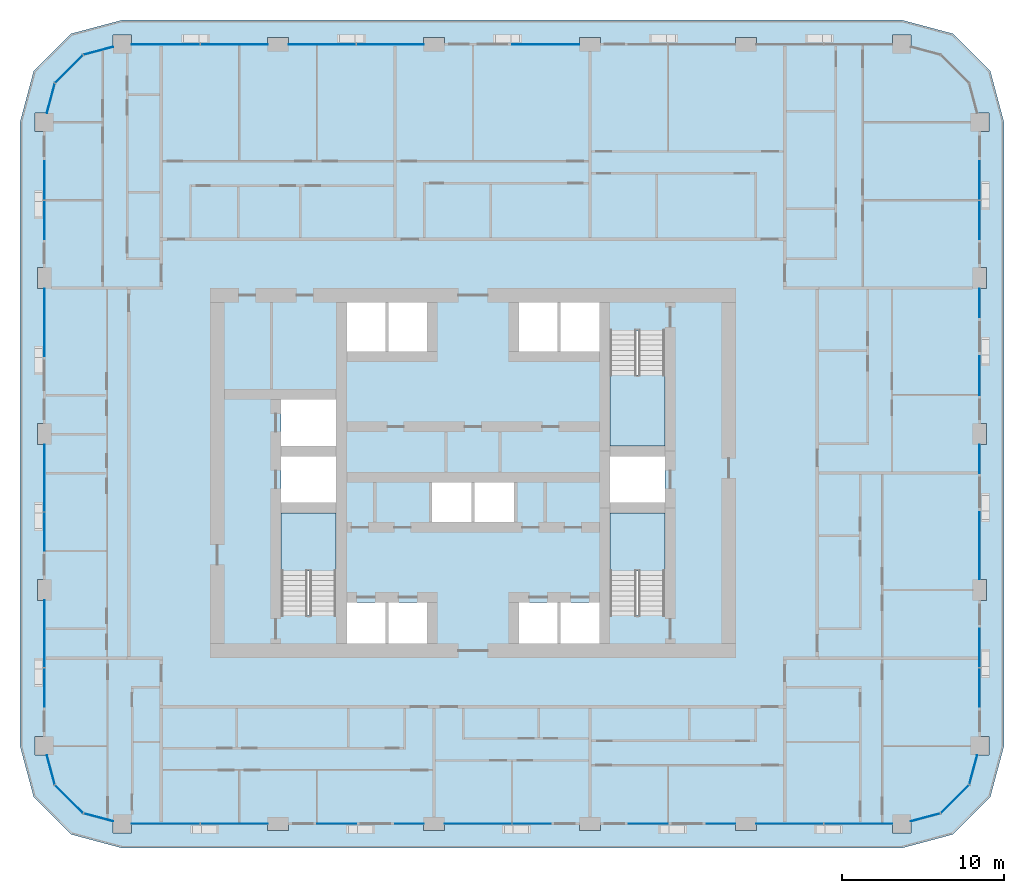
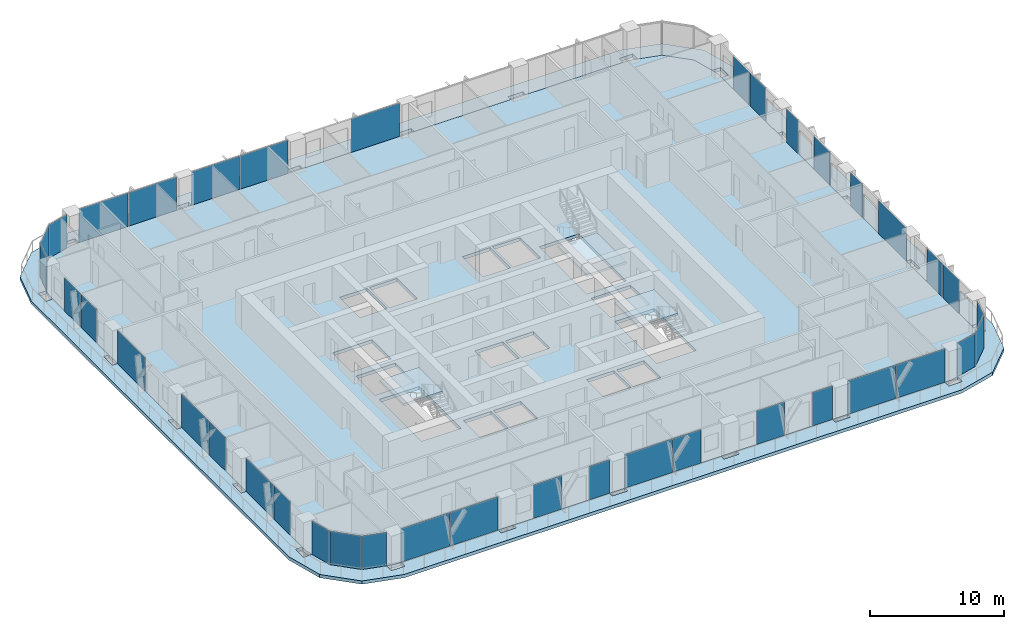
# One storey, part 7 of 21: 39 plates, 5 slabs, 22 elements without a shape of their own.
"""IFC4 building model written with IfcOpenShell, lengths in metres."""

from ifc_helpers import new_model, si_unit, direction, frame, origin, origin_2d, place, context, subcontext, project, spatial, polyline, rectangle, outline, extrude, material, layer, layer_set, type_object, element, aggregate, save


model = new_model("IFC4")

# Units and contexts
model_context = context("Model", 3, precision=1e-05, world=origin(), true_north=direction((0.0, 1.0)))
body_context = subcontext(model_context, "Body", "Model", "MODEL_VIEW")
ifc_project = project(units=[si_unit("LENGTHUNIT", "METRE"), si_unit("AREAUNIT", "SQUARE_METRE"), si_unit("VOLUMEUNIT", "CUBIC_METRE"), si_unit("PLANEANGLEUNIT", "RADIAN"), si_unit("MASSUNIT", "GRAM", prefix="KILO")], contexts=[model_context])

# Site, building, storey
site_placement = place(None, origin())
site = spatial("IfcSite", under=ifc_project, at=site_placement, CompositionType="ELEMENT")
building_placement = place(site_placement, origin())
building = spatial("IfcBuilding", under=site, at=building_placement, Name="Madar Terraces", CompositionType="ELEMENT")
storey_placement = place(building_placement, frame((0.0, 0.0, 110.199951171875)))
storey = spatial("IfcBuildingStorey", under=building, at=storey_placement, Name="L28", CompositionType="ELEMENT", Elevation=110.199951171875)

# Slabs
ifc_material_1 = material(Name="Concrete C50/60", Category="concrete")
ifc_layer_1 = layer(ifc_material_1, 0.300048828125)
ifc_layer_set_1 = layer_set([ifc_layer_1], Name="Balcony band 300")
slab_type_1 = type_object("IfcSlabType", Name="Balcony band 300", PredefinedType="FLOOR", material=ifc_layer_set_1)
slab_1_placement = place(storey_placement, frame((0.0, 0.0, -0.300048828125)))
element("IfcSlab", 1, at=slab_1_placement, inside=storey, type_object=slab_type_1, Name="Balcony band", PredefinedType="FLOOR", context=body_context, shape_type="SweptSolid", body=[
    extrude(outline(polyline([(9.60009765625, 3.300048828125), (6.449951171875, 4.14404296875), (4.14404296875, 6.449951171875), (3.300048828125, 9.60009765625), (3.300048828125, 48.0), (4.14404296875, 51.14990234375), (6.449951171875, 53.4560546875), (9.60009765625, 54.300048828125), (57.60009765625, 54.300048828125), (60.75, 53.4560546875), (63.055908203125, 51.14990234375), (63.89990234375, 48.0), (63.89990234375, 9.60009765625), (63.055908203125, 6.449951171875), (60.75, 4.14404296875), (57.60009765625, 3.300048828125), (9.60009765625, 3.300048828125)]), holes=[polyline([(10.175048828125, 4.22509765625), (10.175048828125, 4.800048828125), (18.550048828125, 4.800048828125), (18.550048828125, 4.375), (19.85009765625, 4.375), (19.85009765625, 4.800048828125), (28.14990234375, 4.800048828125), (28.14990234375, 4.375), (29.449951171875, 4.375), (29.449951171875, 4.800048828125), (37.75, 4.800048828125), (37.75, 4.375), (39.050048828125, 4.375), (39.050048828125, 4.800048828125), (47.35009765625, 4.800048828125), (47.35009765625, 4.375), (48.64990234375, 4.375), (48.64990234375, 4.800048828125), (57.02490234375, 4.800048828125), (57.02490234375, 4.22509765625), (58.175048828125, 4.22509765625), (58.175048828125, 4.9541015625), (60.0, 5.443115234375), (61.7568359375, 7.199951171875), (62.245849609375, 9.02490234375), (62.97509765625, 9.02490234375), (62.97509765625, 10.175048828125), (62.39990234375, 10.175048828125), (62.39990234375, 18.550048828125), (62.824951171875, 18.550048828125), (62.824951171875, 19.85009765625), (62.39990234375, 19.85009765625), (62.39990234375, 28.14990234375), (62.824951171875, 28.14990234375), (62.824951171875, 29.449951171875), (62.39990234375, 29.449951171875), (62.39990234375, 37.75), (62.824951171875, 37.75), (62.824951171875, 39.050048828125), (62.39990234375, 39.050048828125), (62.39990234375, 47.425048828125), (62.97509765625, 47.425048828125), (62.97509765625, 48.574951171875), (62.245849609375, 48.574951171875), (61.7568359375, 50.39990234375), (60.0, 52.156982421875), (58.175048828125, 52.64599609375), (58.175048828125, 53.375), (57.02490234375, 53.375), (57.02490234375, 52.800048828125), (48.64990234375, 52.800048828125), (48.64990234375, 53.22509765625), (47.35009765625, 53.22509765625), (47.35009765625, 52.800048828125), (39.050048828125, 52.800048828125), (39.050048828125, 53.22509765625), (37.75, 53.22509765625), (37.75, 52.800048828125), (29.449951171875, 52.800048828125), (29.449951171875, 53.22509765625), (28.14990234375, 53.22509765625), (28.14990234375, 52.800048828125), (19.85009765625, 52.800048828125), (19.85009765625, 53.22509765625), (18.550048828125, 53.22509765625), (18.550048828125, 52.800048828125), (10.175048828125, 52.800048828125), (10.175048828125, 53.375), (9.02490234375, 53.375), (9.02490234375, 52.64599609375), (7.199951171875, 52.156982421875), (5.443115234375, 50.39990234375), (4.9541015625, 48.574951171875), (4.22509765625, 48.574951171875), (4.22509765625, 47.425048828125), (4.800048828125, 47.425048828125), (4.800048828125, 39.050048828125), (4.375, 39.050048828125), (4.375, 37.75), (4.800048828125, 37.75), (4.800048828125, 29.449951171875), (4.375, 29.449951171875), (4.375, 28.14990234375), (4.800048828125, 28.14990234375), (4.800048828125, 19.85009765625), (4.375, 19.85009765625), (4.375, 18.550048828125), (4.800048828125, 18.550048828125), (4.800048828125, 10.175048828125), (4.22509765625, 10.175048828125), (4.22509765625, 9.02490234375), (4.9541015625, 9.02490234375), (5.443115234375, 7.199951171875), (7.199951171875, 5.443115234375), (9.02490234375, 4.9541015625), (9.02490234375, 4.22509765625), (10.175048828125, 4.22509765625)])]), origin(), (0.0, 0.0, 1.0), 0.300048828125),
])
ifc_material_2 = material(Name="Concrete C50/60", Category="concrete")
ifc_layer_2 = layer(ifc_material_2, 0.300048828125)
ifc_layer_set_2 = layer_set([ifc_layer_2], Name="FS2 PT flat slab 300")
slab_type_2 = type_object("IfcSlabType", Name="FS2 PT flat slab 300", PredefinedType="FLOOR", material=ifc_layer_set_2)
slab_2_placement = place(storey_placement, frame((0.0, 0.0, -0.300048828125)))
element("IfcSlab", 2, at=slab_2_placement, inside=storey, type_object=slab_type_2, Name="Floor slab L28 (1)", PredefinedType="FLOOR", context=body_context, shape_type="SweptSolid", body=[
    extrude(outline(polyline([(57.60009765625, 4.800048828125), (60.0, 5.443115234375), (61.7568359375, 7.199951171875), (62.39990234375, 9.60009765625), (62.39990234375, 48.0), (61.7568359375, 50.39990234375), (60.0, 52.156982421875), (57.60009765625, 52.800048828125), (9.60009765625, 52.800048828125), (7.199951171875, 52.156982421875), (5.443115234375, 50.39990234375), (4.800048828125, 48.0), (4.800048828125, 9.60009765625), (5.443115234375, 7.199951171875), (7.199951171875, 5.443115234375), (9.60009765625, 4.800048828125), (57.60009765625, 4.800048828125)]), holes=[polyline([(23.425048828125, 15.89990234375), (23.425048828125, 18.425048828125), (25.800048828125, 18.425048828125), (25.800048828125, 15.89990234375), (23.425048828125, 15.89990234375)]), polyline([(26.0, 15.89990234375), (26.0, 18.425048828125), (28.375, 18.425048828125), (28.375, 15.89990234375), (26.0, 15.89990234375)]), polyline([(19.375, 17.64990234375), (19.375, 23.925048828125), (22.77490234375, 23.925048828125), (22.77490234375, 17.64990234375), (19.375, 17.64990234375)]), polyline([(28.675048828125, 23.375), (28.675048828125, 25.824951171875), (31.10009765625, 25.824951171875), (31.10009765625, 23.375), (28.675048828125, 23.375)]), polyline([(19.375, 24.574951171875), (19.375, 27.425048828125), (22.77490234375, 27.425048828125), (22.77490234375, 24.574951171875), (19.375, 24.574951171875)]), polyline([(19.375, 28.074951171875), (19.375, 30.925048828125), (22.77490234375, 30.925048828125), (22.77490234375, 28.074951171875), (19.375, 28.074951171875)]), polyline([(23.425048828125, 33.875), (23.425048828125, 36.89990234375), (25.800048828125, 36.89990234375), (25.800048828125, 33.875), (23.425048828125, 33.875)]), polyline([(26.0, 33.875), (26.0, 36.89990234375), (28.375, 36.89990234375), (28.375, 33.875), (26.0, 33.875)]), polyline([(34.02490234375, 15.89990234375), (34.02490234375, 18.425048828125), (36.39990234375, 18.425048828125), (36.39990234375, 15.89990234375), (34.02490234375, 15.89990234375)]), polyline([(36.60009765625, 15.89990234375), (36.60009765625, 18.425048828125), (38.97509765625, 18.425048828125), (38.97509765625, 15.89990234375), (36.60009765625, 15.89990234375)]), polyline([(39.625, 17.64990234375), (39.625, 23.925048828125), (43.02490234375, 23.925048828125), (43.02490234375, 17.64990234375), (39.625, 17.64990234375)]), polyline([(31.300048828125, 23.375), (31.300048828125, 25.824951171875), (33.72509765625, 25.824951171875), (33.72509765625, 23.375), (31.300048828125, 23.375)]), polyline([(39.625, 24.574951171875), (39.625, 27.425048828125), (43.02490234375, 27.425048828125), (43.02490234375, 24.574951171875), (39.625, 24.574951171875)]), polyline([(39.625, 28.074951171875), (39.625, 35.14990234375), (43.02490234375, 35.14990234375), (43.02490234375, 28.074951171875), (39.625, 28.074951171875)]), polyline([(34.02490234375, 33.875), (34.02490234375, 36.89990234375), (36.39990234375, 36.89990234375), (36.39990234375, 33.875), (34.02490234375, 33.875)]), polyline([(36.60009765625, 33.875), (36.60009765625, 36.89990234375), (38.97509765625, 36.89990234375), (38.97509765625, 33.875), (36.60009765625, 33.875)])]), origin(), (0.0, 0.0, 1.0), 0.300048828125),
])

# Curtain wall, plates
ifc_material_3 = material(Name="Glass, ceramic frit dark grey, with black aluminium frame", Category="aluminium")
ifc_layer_3 = layer(ifc_material_3, 0.199951171875)
ifc_layer_set_3 = layer_set([ifc_layer_3], Name="Facade curtain wall, fritted glass")
curtain_wall_type = type_object("IfcCurtainWallType", Name="Facade curtain wall, fritted glass", PredefinedType="NOTDEFINED", material=ifc_layer_set_3)
curtain_wall_1_placement = place(storey_placement, origin())
curtain_wall_1 = element("IfcCurtainWall", 3, at=curtain_wall_1_placement, inside=storey, type_object=curtain_wall_type, Name="Outer skin curtain wall south bay 1", PredefinedType="NOTDEFINED")
ifc_material_4 = material(Name="Glass, ceramic frit dark grey", Category="glass")
ifc_layer_4 = layer(ifc_material_4, 0.028076171875)
ifc_layer_set_4 = layer_set([ifc_layer_4], Name="Facade glass panel 28")
plate_type = type_object("IfcPlateType", Name="Facade glass panel 28", PredefinedType="CURTAIN_PANEL", material=ifc_layer_set_4)
plate_1_placement = place(storey_placement, frame((12.2724609375, 4.800048828125, 0.0), z_axis=(0.0, 0.0, 1.0), x_axis=(1.0, 0.0, 0.0)))
plate_1 = element("IfcPlate", 4, at=plate_1_placement, type_object=plate_type, Name="Panel 1", PredefinedType="CURTAIN_PANEL", context=body_context, shape_type="SweptSolid", body=[
    extrude(rectangle(XDim=4.195068359375, YDim=0.028076171875, at=origin_2d()), origin(), (0.0, 0.0, 1.0), 3.0400390625),
])
plate_2_placement = place(storey_placement, frame((16.489990234375, 4.800048828125, 0.0), z_axis=(0.0, 0.0, 1.0), x_axis=(1.0, 0.0, 0.0)))
plate_2 = element("IfcPlate", 5, at=plate_2_placement, type_object=plate_type, Name="Panel 2", PredefinedType="CURTAIN_PANEL", context=body_context, shape_type="SweptSolid", body=[
    extrude(rectangle(XDim=4.1201171875, YDim=0.028076171875, at=origin_2d()), origin(), (0.0, 0.0, 1.0), 3.0400390625),
])
aggregate(curtain_wall_1, [plate_1, plate_2])

curtain_wall_2_placement = place(storey_placement, origin())
curtain_wall_2 = element("IfcCurtainWall", 6, at=curtain_wall_2_placement, inside=storey, type_object=curtain_wall_type, Name="Outer skin curtain wall south bay 2", PredefinedType="NOTDEFINED")
plate_3_placement = place(storey_placement, frame((22.800048828125, 4.800048828125, 0.0), z_axis=(0.0, 0.0, 1.0), x_axis=(1.0, 0.0, 0.0)))
plate_3 = element("IfcPlate", 7, at=plate_3_placement, type_object=plate_type, Name="Panel 1", PredefinedType="CURTAIN_PANEL", context=body_context, shape_type="SweptSolid", body=[
    extrude(rectangle(XDim=2.39990234375, YDim=0.028076171875, at=origin_2d()), origin(), (0.0, 0.0, 1.0), 3.0400390625),
])
plate_4_placement = place(storey_placement, frame((27.27490234375, 4.800048828125, 0.0), z_axis=(0.0, 0.0, 1.0), x_axis=(1.0, 0.0, 0.0)))
plate_4 = element("IfcPlate", 8, at=plate_4_placement, type_object=plate_type, Name="Panel 2", PredefinedType="CURTAIN_PANEL", context=body_context, shape_type="SweptSolid", body=[
    extrude(rectangle(XDim=1.75, YDim=0.028076171875, at=origin_2d()), origin(), (0.0, 0.0, 1.0), 3.0400390625),
])
aggregate(curtain_wall_2, [plate_3, plate_4])

curtain_wall_3_placement = place(storey_placement, origin())
curtain_wall_3 = element("IfcCurtainWall", 9, at=curtain_wall_3_placement, inside=storey, type_object=curtain_wall_type, Name="Outer skin curtain wall south bay 3", PredefinedType="NOTDEFINED")
plate_5_placement = place(storey_placement, frame((31.510009765625, 4.800048828125, 0.0), z_axis=(0.0, 0.0, 1.0), x_axis=(1.0, 0.0, 0.0)))
plate_5 = element("IfcPlate", 10, at=plate_5_placement, type_object=plate_type, Name="Panel 1", PredefinedType="CURTAIN_PANEL", context=body_context, shape_type="SweptSolid", body=[
    extrude(rectangle(XDim=4.1201171875, YDim=0.028076171875, at=origin_2d()), origin(), (0.0, 0.0, 1.0), 3.0400390625),
])
plate_6_placement = place(storey_placement, frame((34.81494140625, 4.800048828125, 0.0), z_axis=(0.0, 0.0, 1.0), x_axis=(1.0, 0.0, 0.0)))
plate_6 = element("IfcPlate", 11, at=plate_6_placement, type_object=plate_type, Name="Panel 2", PredefinedType="CURTAIN_PANEL", context=body_context, shape_type="SweptSolid", body=[
    extrude(rectangle(XDim=2.3701171875, YDim=0.028076171875, at=origin_2d()), origin(), (0.0, 0.0, 1.0), 3.0400390625),
])
aggregate(curtain_wall_3, [plate_5, plate_6])

curtain_wall_4_placement = place(storey_placement, origin())
curtain_wall_4 = element("IfcCurtainWall", 12, at=curtain_wall_4_placement, inside=storey, type_object=curtain_wall_type, Name="Outer skin curtain wall south bay 4", PredefinedType="NOTDEFINED")
plate_7_placement = place(storey_placement, frame((42.0, 4.800048828125, 0.0), z_axis=(0.0, 0.0, 1.0), x_axis=(1.0, 0.0, 0.0)))
plate_7 = element("IfcPlate", 13, at=plate_7_placement, type_object=plate_type, Name="Panel 1", PredefinedType="CURTAIN_PANEL", context=body_context, shape_type="SweptSolid", body=[
    extrude(rectangle(XDim=2.39990234375, YDim=0.028076171875, at=origin_2d()), origin(), (0.0, 0.0, 1.0), 3.0400390625),
])
plate_8_placement = place(storey_placement, frame((46.47509765625, 4.800048828125, 0.0), z_axis=(0.0, 0.0, 1.0), x_axis=(1.0, 0.0, 0.0)))
plate_8 = element("IfcPlate", 14, at=plate_8_placement, type_object=plate_type, Name="Panel 2", PredefinedType="CURTAIN_PANEL", context=body_context, shape_type="SweptSolid", body=[
    extrude(rectangle(XDim=1.75, YDim=0.028076171875, at=origin_2d()), origin(), (0.0, 0.0, 1.0), 3.0400390625),
])
aggregate(curtain_wall_4, [plate_7, plate_8])

curtain_wall_5_placement = place(storey_placement, origin())
curtain_wall_5 = element("IfcCurtainWall", 15, at=curtain_wall_5_placement, inside=storey, type_object=curtain_wall_type, Name="Outer skin curtain wall south bay 5", PredefinedType="NOTDEFINED")
plate_9_placement = place(storey_placement, frame((50.7099609375, 4.800048828125, 0.0), z_axis=(0.0, 0.0, 1.0), x_axis=(1.0, 0.0, 0.0)))
plate_9 = element("IfcPlate", 16, at=plate_9_placement, type_object=plate_type, Name="Panel 1", PredefinedType="CURTAIN_PANEL", context=body_context, shape_type="SweptSolid", body=[
    extrude(rectangle(XDim=4.1201171875, YDim=0.028076171875, at=origin_2d()), origin(), (0.0, 0.0, 1.0), 3.0400390625),
])
plate_10_placement = place(storey_placement, frame((54.927490234375, 4.800048828125, 0.0), z_axis=(0.0, 0.0, 1.0), x_axis=(1.0, 0.0, 0.0)))
plate_10 = element("IfcPlate", 17, at=plate_10_placement, type_object=plate_type, Name="Panel 2", PredefinedType="CURTAIN_PANEL", context=body_context, shape_type="SweptSolid", body=[
    extrude(rectangle(XDim=4.195068359375, YDim=0.028076171875, at=origin_2d()), origin(), (0.0, 0.0, 1.0), 3.0400390625),
])
aggregate(curtain_wall_5, [plate_9, plate_10])

curtain_wall_6_placement = place(storey_placement, origin())
curtain_wall_6 = element("IfcCurtainWall", 18, at=curtain_wall_6_placement, inside=storey, type_object=curtain_wall_type, Name="Outer skin curtain wall east bay 1", PredefinedType="NOTDEFINED")
plate_11_placement = place(storey_placement, frame((62.39990234375, 13.18505859375, 0.0), z_axis=(0.0, 0.0, 1.0), x_axis=(0.0, 1.0, 0.0)))
plate_11 = element("IfcPlate", 19, at=plate_11_placement, type_object=plate_type, Name="Panel 1", PredefinedType="CURTAIN_PANEL", context=body_context, shape_type="SweptSolid", body=[
    extrude(rectangle(XDim=2.3701171875, YDim=0.028076171875, at=origin_2d()), origin(), (0.0, 0.0, 1.0), 3.0400390625),
])
plate_12_placement = place(storey_placement, frame((62.39990234375, 15.614990234375, 0.0), z_axis=(0.0, 0.0, 1.0), x_axis=(0.0, 1.0, 0.0)))
plate_12 = element("IfcPlate", 20, at=plate_12_placement, type_object=plate_type, Name="Panel 2", PredefinedType="CURTAIN_PANEL", context=body_context, shape_type="SweptSolid", body=[
    extrude(rectangle(XDim=2.3701171875, YDim=0.028076171875, at=origin_2d()), origin(), (0.0, 0.0, 1.0), 3.0400390625),
])
aggregate(curtain_wall_6, [plate_11, plate_12])

curtain_wall_7_placement = place(storey_placement, origin())
curtain_wall_7 = element("IfcCurtainWall", 21, at=curtain_wall_7_placement, inside=storey, type_object=curtain_wall_type, Name="Outer skin curtain wall east bay 2", PredefinedType="NOTDEFINED")
plate_13_placement = place(storey_placement, frame((62.39990234375, 21.925048828125, 0.0), z_axis=(0.0, 0.0, 1.0), x_axis=(0.0, 1.0, 0.0)))
plate_13 = element("IfcPlate", 22, at=plate_13_placement, type_object=plate_type, Name="Panel 1", PredefinedType="CURTAIN_PANEL", context=body_context, shape_type="SweptSolid", body=[
    extrude(rectangle(XDim=4.14990234375, YDim=0.028076171875, at=origin_2d()), origin(), (0.0, 0.0, 1.0), 3.0400390625),
])
plate_14_placement = place(storey_placement, frame((62.39990234375, 27.27490234375, 0.0), z_axis=(0.0, 0.0, 1.0), x_axis=(0.0, 1.0, 0.0)))
plate_14 = element("IfcPlate", 23, at=plate_14_placement, type_object=plate_type, Name="Panel 2", PredefinedType="CURTAIN_PANEL", context=body_context, shape_type="SweptSolid", body=[
    extrude(rectangle(XDim=1.75, YDim=0.028076171875, at=origin_2d()), origin(), (0.0, 0.0, 1.0), 3.0400390625),
])
aggregate(curtain_wall_7, [plate_13, plate_14])

curtain_wall_8_placement = place(storey_placement, origin())
curtain_wall_8 = element("IfcCurtainWall", 24, at=curtain_wall_8_placement, inside=storey, type_object=curtain_wall_type, Name="Outer skin curtain wall east bay 3", PredefinedType="NOTDEFINED")
plate_15_placement = place(storey_placement, frame((62.39990234375, 32.39990234375, 0.0), z_axis=(0.0, 0.0, 1.0), x_axis=(0.0, 1.0, 0.0)))
plate_15 = element("IfcPlate", 25, at=plate_15_placement, type_object=plate_type, Name="Panel 1", PredefinedType="CURTAIN_PANEL", context=body_context, shape_type="SweptSolid", body=[
    extrude(rectangle(XDim=2.39990234375, YDim=0.028076171875, at=origin_2d()), origin(), (0.0, 0.0, 1.0), 3.0400390625),
])
plate_16_placement = place(storey_placement, frame((62.39990234375, 36.875, 0.0), z_axis=(0.0, 0.0, 1.0), x_axis=(0.0, 1.0, 0.0)))
plate_16 = element("IfcPlate", 26, at=plate_16_placement, type_object=plate_type, Name="Panel 2", PredefinedType="CURTAIN_PANEL", context=body_context, shape_type="SweptSolid", body=[
    extrude(rectangle(XDim=1.75, YDim=0.028076171875, at=origin_2d()), origin(), (0.0, 0.0, 1.0), 3.0400390625),
])
aggregate(curtain_wall_8, [plate_15, plate_16])

curtain_wall_9_placement = place(storey_placement, origin())
curtain_wall_9 = element("IfcCurtainWall", 27, at=curtain_wall_9_placement, inside=storey, type_object=curtain_wall_type, Name="Outer skin curtain wall east bay 4", PredefinedType="NOTDEFINED")
plate_17_placement = place(storey_placement, frame((62.39990234375, 41.985107421875, 0.0), z_axis=(0.0, 0.0, 1.0), x_axis=(0.0, 1.0, 0.0)))
plate_17 = element("IfcPlate", 28, at=plate_17_placement, type_object=plate_type, Name="Panel 1", PredefinedType="CURTAIN_PANEL", context=body_context, shape_type="SweptSolid", body=[
    extrude(rectangle(XDim=2.3701171875, YDim=0.028076171875, at=origin_2d()), origin(), (0.0, 0.0, 1.0), 3.0400390625),
])
plate_18_placement = place(storey_placement, frame((62.39990234375, 44.4150390625, 0.0), z_axis=(0.0, 0.0, 1.0), x_axis=(0.0, 1.0, 0.0)))
plate_18 = element("IfcPlate", 29, at=plate_18_placement, type_object=plate_type, Name="Panel 2", PredefinedType="CURTAIN_PANEL", context=body_context, shape_type="SweptSolid", body=[
    extrude(rectangle(XDim=2.3701171875, YDim=0.028076171875, at=origin_2d()), origin(), (0.0, 0.0, 1.0), 3.0400390625),
])
aggregate(curtain_wall_9, [plate_17, plate_18])

# Curtain wall, plate
curtain_wall_10_placement = place(storey_placement, origin())
curtain_wall_10 = element("IfcCurtainWall", 30, at=curtain_wall_10_placement, inside=storey, type_object=curtain_wall_type, Name="Outer skin curtain wall north bay 3", PredefinedType="NOTDEFINED")
plate_19_placement = place(storey_placement, frame((35.675048828125, 52.800048828125, 0.0), z_axis=(0.0, 0.0, 1.0), x_axis=(-1.0, 0.0, 0.0)))
plate_19 = element("IfcPlate", 31, at=plate_19_placement, type_object=plate_type, Name="Panel 1", PredefinedType="CURTAIN_PANEL", context=body_context, shape_type="SweptSolid", body=[
    extrude(rectangle(XDim=4.14990234375, YDim=0.028076171875, at=origin_2d()), origin(), (0.0, 0.0, 1.0), 3.0400390625),
])
aggregate(curtain_wall_10, [plate_19])

# Curtain wall, plates
curtain_wall_11_placement = place(storey_placement, origin())
curtain_wall_11 = element("IfcCurtainWall", 32, at=curtain_wall_11_placement, inside=storey, type_object=curtain_wall_type, Name="Outer skin curtain wall north bay 4", PredefinedType="NOTDEFINED")
plate_20_placement = place(storey_placement, frame((26.090087890625, 52.800048828125, 0.0), z_axis=(0.0, 0.0, 1.0), x_axis=(-1.0, 0.0, 0.0)))
plate_20 = element("IfcPlate", 33, at=plate_20_placement, type_object=plate_type, Name="Panel 1", PredefinedType="CURTAIN_PANEL", context=body_context, shape_type="SweptSolid", body=[
    extrude(rectangle(XDim=4.1201171875, YDim=0.028076171875, at=origin_2d()), origin(), (0.0, 0.0, 1.0), 3.0400390625),
])
plate_21_placement = place(storey_placement, frame((21.909912109375, 52.800048828125, 0.0), z_axis=(0.0, 0.0, 1.0), x_axis=(-1.0, 0.0, 0.0)))
plate_21 = element("IfcPlate", 34, at=plate_21_placement, type_object=plate_type, Name="Panel 2", PredefinedType="CURTAIN_PANEL", context=body_context, shape_type="SweptSolid", body=[
    extrude(rectangle(XDim=4.1201171875, YDim=0.028076171875, at=origin_2d()), origin(), (0.0, 0.0, 1.0), 3.0400390625),
])
aggregate(curtain_wall_11, [plate_20, plate_21])

curtain_wall_12_placement = place(storey_placement, origin())
curtain_wall_12 = element("IfcCurtainWall", 35, at=curtain_wall_12_placement, inside=storey, type_object=curtain_wall_type, Name="Outer skin curtain wall north bay 5", PredefinedType="NOTDEFINED")
plate_22_placement = place(storey_placement, frame((16.489990234375, 52.800048828125, 0.0), z_axis=(0.0, 0.0, 1.0), x_axis=(-1.0, 0.0, 0.0)))
plate_22 = element("IfcPlate", 36, at=plate_22_placement, type_object=plate_type, Name="Panel 1", PredefinedType="CURTAIN_PANEL", context=body_context, shape_type="SweptSolid", body=[
    extrude(rectangle(XDim=4.1201171875, YDim=0.028076171875, at=origin_2d()), origin(), (0.0, 0.0, 1.0), 3.0400390625),
])
plate_23_placement = place(storey_placement, frame((12.2724609375, 52.800048828125, 0.0), z_axis=(0.0, 0.0, 1.0), x_axis=(-1.0, 0.0, 0.0)))
plate_23 = element("IfcPlate", 37, at=plate_23_placement, type_object=plate_type, Name="Panel 2", PredefinedType="CURTAIN_PANEL", context=body_context, shape_type="SweptSolid", body=[
    extrude(rectangle(XDim=4.195068359375, YDim=0.028076171875, at=origin_2d()), origin(), (0.0, 0.0, 1.0), 3.0400390625),
])
aggregate(curtain_wall_12, [plate_22, plate_23])

curtain_wall_13_placement = place(storey_placement, origin())
curtain_wall_13 = element("IfcCurtainWall", 38, at=curtain_wall_13_placement, inside=storey, type_object=curtain_wall_type, Name="Outer skin curtain wall west bay 1", PredefinedType="NOTDEFINED")
plate_24_placement = place(storey_placement, frame((4.800048828125, 44.4150390625, 0.0), z_axis=(0.0, 0.0, 1.0), x_axis=(0.0, -1.0, 0.0)))
plate_24 = element("IfcPlate", 39, at=plate_24_placement, type_object=plate_type, Name="Panel 1", PredefinedType="CURTAIN_PANEL", context=body_context, shape_type="SweptSolid", body=[
    extrude(rectangle(XDim=2.3701171875, YDim=0.028076171875, at=origin_2d()), origin(), (0.0, 0.0, 1.0), 3.0400390625),
])
plate_25_placement = place(storey_placement, frame((4.800048828125, 41.985107421875, 0.0), z_axis=(0.0, 0.0, 1.0), x_axis=(0.0, -1.0, 0.0)))
plate_25 = element("IfcPlate", 40, at=plate_25_placement, type_object=plate_type, Name="Panel 2", PredefinedType="CURTAIN_PANEL", context=body_context, shape_type="SweptSolid", body=[
    extrude(rectangle(XDim=2.3701171875, YDim=0.028076171875, at=origin_2d()), origin(), (0.0, 0.0, 1.0), 3.0400390625),
])
aggregate(curtain_wall_13, [plate_24, plate_25])

# Curtain wall, plate
curtain_wall_14_placement = place(storey_placement, origin())
curtain_wall_14 = element("IfcCurtainWall", 41, at=curtain_wall_14_placement, inside=storey, type_object=curtain_wall_type, Name="Outer skin curtain wall west bay 2", PredefinedType="NOTDEFINED")
plate_26_placement = place(storey_placement, frame((4.800048828125, 35.675048828125, 0.0), z_axis=(0.0, 0.0, 1.0), x_axis=(0.0, -1.0, 0.0)))
plate_26 = element("IfcPlate", 42, at=plate_26_placement, type_object=plate_type, Name="Panel 1", PredefinedType="CURTAIN_PANEL", context=body_context, shape_type="SweptSolid", body=[
    extrude(rectangle(XDim=4.14990234375, YDim=0.028076171875, at=origin_2d()), origin(), (0.0, 0.0, 1.0), 3.0400390625),
])
aggregate(curtain_wall_14, [plate_26])

# Curtain wall, plates
curtain_wall_15_placement = place(storey_placement, origin())
curtain_wall_15 = element("IfcCurtainWall", 43, at=curtain_wall_15_placement, inside=storey, type_object=curtain_wall_type, Name="Outer skin curtain wall west bay 3", PredefinedType="NOTDEFINED")
plate_27_placement = place(storey_placement, frame((4.800048828125, 26.090087890625, 0.0), z_axis=(0.0, 0.0, 1.0), x_axis=(0.0, -1.0, 0.0)))
plate_27 = element("IfcPlate", 44, at=plate_27_placement, type_object=plate_type, Name="Panel 1", PredefinedType="CURTAIN_PANEL", context=body_context, shape_type="SweptSolid", body=[
    extrude(rectangle(XDim=4.1201171875, YDim=0.028076171875, at=origin_2d()), origin(), (0.0, 0.0, 1.0), 3.0400390625),
])
plate_28_placement = place(storey_placement, frame((4.800048828125, 22.784912109375, 0.0), z_axis=(0.0, 0.0, 1.0), x_axis=(0.0, -1.0, 0.0)))
plate_28 = element("IfcPlate", 45, at=plate_28_placement, type_object=plate_type, Name="Panel 2", PredefinedType="CURTAIN_PANEL", context=body_context, shape_type="SweptSolid", body=[
    extrude(rectangle(XDim=2.3701171875, YDim=0.028076171875, at=origin_2d()), origin(), (0.0, 0.0, 1.0), 3.0400390625),
])
aggregate(curtain_wall_15, [plate_27, plate_28])

curtain_wall_16_placement = place(storey_placement, origin())
curtain_wall_16 = element("IfcCurtainWall", 46, at=curtain_wall_16_placement, inside=storey, type_object=curtain_wall_type, Name="Outer skin curtain wall west bay 4", PredefinedType="NOTDEFINED")
plate_29_placement = place(storey_placement, frame((4.800048828125, 16.489990234375, 0.0), z_axis=(0.0, 0.0, 1.0), x_axis=(0.0, -1.0, 0.0)))
plate_29 = element("IfcPlate", 47, at=plate_29_placement, type_object=plate_type, Name="Panel 1", PredefinedType="CURTAIN_PANEL", context=body_context, shape_type="SweptSolid", body=[
    extrude(rectangle(XDim=4.1201171875, YDim=0.028076171875, at=origin_2d()), origin(), (0.0, 0.0, 1.0), 3.0400390625),
])
plate_30_placement = place(storey_placement, frame((4.800048828125, 13.18505859375, 0.0), z_axis=(0.0, 0.0, 1.0), x_axis=(0.0, -1.0, 0.0)))
plate_30 = element("IfcPlate", 48, at=plate_30_placement, type_object=plate_type, Name="Panel 2", PredefinedType="CURTAIN_PANEL", context=body_context, shape_type="SweptSolid", body=[
    extrude(rectangle(XDim=2.3701171875, YDim=0.028076171875, at=origin_2d()), origin(), (0.0, 0.0, 1.0), 3.0400390625),
])
aggregate(curtain_wall_16, [plate_29, plate_30])

curtain_wall_17_placement = place(storey_placement, origin())
curtain_wall_17 = element("IfcCurtainWall", 49, at=curtain_wall_17_placement, inside=storey, type_object=curtain_wall_type, Name="Outer skin curtain wall south-east corner", PredefinedType="NOTDEFINED")
plate_31_placement = place(storey_placement, frame((59.072998046875, 5.194580078125, 0.0), z_axis=(0.0, 0.0, 1.0), x_axis=(0.965925832509, 0.258819021888, 0.0)))
plate_31 = element("IfcPlate", 50, at=plate_31_placement, type_object=plate_type, Name="Panel 1", PredefinedType="CURTAIN_PANEL", context=body_context, shape_type="SweptSolid", body=[
    extrude(rectangle(XDim=1.859375, YDim=0.028076171875, at=origin_2d()), origin(), (0.0, 0.0, 1.0), 3.0400390625),
])
plate_32_placement = place(storey_placement, frame((60.87841796875, 6.321533203125, 0.0), z_axis=(0.0, 0.0, 1.0), x_axis=(0.707106781187, 0.707106781187, 0.0)))
plate_32 = element("IfcPlate", 51, at=plate_32_placement, type_object=plate_type, Name="Panel 2", PredefinedType="CURTAIN_PANEL", context=body_context, shape_type="SweptSolid", body=[
    extrude(rectangle(XDim=2.424560546875, YDim=0.028076171875, at=origin_2d()), origin(), (0.0, 0.0, 1.0), 3.0400390625),
])
plate_33_placement = place(storey_placement, frame((62.00537109375, 8.126953125, 0.0), z_axis=(0.0, 0.0, 1.0), x_axis=(0.258819021888, 0.965925832509, 0.0)))
plate_33 = element("IfcPlate", 52, at=plate_33_placement, type_object=plate_type, Name="Panel 3", PredefinedType="CURTAIN_PANEL", context=body_context, shape_type="SweptSolid", body=[
    extrude(rectangle(XDim=1.859375, YDim=0.028076171875, at=origin_2d()), origin(), (0.0, 0.0, 1.0), 3.0400390625),
])
aggregate(curtain_wall_17, [plate_31, plate_32, plate_33])

curtain_wall_18_placement = place(storey_placement, origin())
curtain_wall_18 = element("IfcCurtainWall", 53, at=curtain_wall_18_placement, inside=storey, type_object=curtain_wall_type, Name="Outer skin curtain wall north-west corner", PredefinedType="NOTDEFINED")
plate_34_placement = place(storey_placement, frame((8.126953125, 52.4052734375, 0.0), z_axis=(0.0, 0.0, 1.0), x_axis=(-0.965925832509, -0.258819021888, 0.0)))
plate_34 = element("IfcPlate", 54, at=plate_34_placement, type_object=plate_type, Name="Panel 1", PredefinedType="CURTAIN_PANEL", context=body_context, shape_type="SweptSolid", body=[
    extrude(rectangle(XDim=1.859375, YDim=0.028076171875, at=origin_2d()), origin(), (0.0, 0.0, 1.0), 3.0400390625),
])
plate_35_placement = place(storey_placement, frame((6.321533203125, 51.278564453125, 0.0), z_axis=(0.0, 0.0, 1.0), x_axis=(-0.707106781187, -0.707106781187, 0.0)))
plate_35 = element("IfcPlate", 55, at=plate_35_placement, type_object=plate_type, Name="Panel 2", PredefinedType="CURTAIN_PANEL", context=body_context, shape_type="SweptSolid", body=[
    extrude(rectangle(XDim=2.424560546875, YDim=0.028076171875, at=origin_2d()), origin(), (0.0, 0.0, 1.0), 3.0400390625),
])
plate_36_placement = place(storey_placement, frame((5.194580078125, 49.472900390625, 0.0), z_axis=(0.0, 0.0, 1.0), x_axis=(-0.258819021888, -0.965925832509, 0.0)))
plate_36 = element("IfcPlate", 56, at=plate_36_placement, type_object=plate_type, Name="Panel 3", PredefinedType="CURTAIN_PANEL", context=body_context, shape_type="SweptSolid", body=[
    extrude(rectangle(XDim=1.859375, YDim=0.028076171875, at=origin_2d()), origin(), (0.0, 0.0, 1.0), 3.0400390625),
])
aggregate(curtain_wall_18, [plate_34, plate_35, plate_36])

curtain_wall_19_placement = place(storey_placement, origin())
curtain_wall_19 = element("IfcCurtainWall", 57, at=curtain_wall_19_placement, inside=storey, type_object=curtain_wall_type, Name="Outer skin curtain wall south-west corner", PredefinedType="NOTDEFINED")
plate_37_placement = place(storey_placement, frame((5.194580078125, 8.126953125, 0.0), z_axis=(0.0, 0.0, 1.0), x_axis=(0.258819021888, -0.965925832509, 0.0)))
plate_37 = element("IfcPlate", 58, at=plate_37_placement, type_object=plate_type, Name="Panel 1", PredefinedType="CURTAIN_PANEL", context=body_context, shape_type="SweptSolid", body=[
    extrude(rectangle(XDim=1.859375, YDim=0.028076171875, at=origin_2d()), origin(), (0.0, 0.0, 1.0), 3.0400390625),
])
plate_38_placement = place(storey_placement, frame((6.321533203125, 6.321533203125, 0.0), z_axis=(0.0, 0.0, 1.0), x_axis=(0.707106781187, -0.707106781187, 0.0)))
plate_38 = element("IfcPlate", 59, at=plate_38_placement, type_object=plate_type, Name="Panel 2", PredefinedType="CURTAIN_PANEL", context=body_context, shape_type="SweptSolid", body=[
    extrude(rectangle(XDim=2.424560546875, YDim=0.028076171875, at=origin_2d()), origin(), (0.0, 0.0, 1.0), 3.0400390625),
])
plate_39_placement = place(storey_placement, frame((8.126953125, 5.194580078125, 0.0), z_axis=(0.0, 0.0, 1.0), x_axis=(0.965925832509, -0.258819021888, 0.0)))
plate_39 = element("IfcPlate", 60, at=plate_39_placement, type_object=plate_type, Name="Panel 3", PredefinedType="CURTAIN_PANEL", context=body_context, shape_type="SweptSolid", body=[
    extrude(rectangle(XDim=1.859375, YDim=0.028076171875, at=origin_2d()), origin(), (0.0, 0.0, 1.0), 3.0400390625),
])
aggregate(curtain_wall_19, [plate_37, plate_38, plate_39])

# Stair, slab
ifc_material_5 = material(Name="Concrete C50/60", Category="concrete")
stair_type_1 = type_object("IfcStairType", Name="Stair ST1 protected exit", PredefinedType="HALF_TURN_STAIR", material=ifc_material_5)
stair_1_placement = place(storey_placement, origin())
stair_1 = element("IfcStair", 61, at=stair_1_placement, inside=storey, type_object=stair_type_1, Name="L28 Protected Exit Stair ST1", PredefinedType="HALF_TURN_STAIR")
ifc_material_6 = material(Name="Concrete C50/60", Category="concrete")
ifc_layer_5 = layer(ifc_material_6, 0.199951171875)
ifc_layer_set_5 = layer_set([ifc_layer_5], Name="Stair landing 200, top +1.75")
slab_type_3 = type_object("IfcSlabType", Name="Stair landing 200, top +1.75", PredefinedType="LANDING", material=ifc_layer_set_5)
slab_3_placement = place(storey_placement, frame((0.0, 0.0, 1.550048828125)))
slab_3 = element("IfcSlab", 62, at=slab_3_placement, type_object=slab_type_3, Name="ST1 landing 1", PredefinedType="LANDING", context=body_context, shape_type="SweptSolid", body=[
    extrude(outline(polyline([(19.375, 20.360107421875), (22.77490234375, 20.360107421875), (22.77490234375, 23.925048828125), (19.375, 23.925048828125), (19.375, 20.360107421875)])), origin(), (0.0, 0.0, 1.0), 0.199951171875),
])
aggregate(stair_1, [slab_3])

ifc_material_7 = material(Name="Concrete C50/60", Category="concrete")
stair_type_2 = type_object("IfcStairType", Name="Stair ST2 protected exit", PredefinedType="HALF_TURN_STAIR", material=ifc_material_7)
stair_2_placement = place(storey_placement, origin())
stair_2 = element("IfcStair", 63, at=stair_2_placement, inside=storey, type_object=stair_type_2, Name="L28 Protected Exit Stair ST2", PredefinedType="HALF_TURN_STAIR")
slab_4_placement = place(storey_placement, frame((0.0, 0.0, 1.550048828125)))
slab_4 = element("IfcSlab", 64, at=slab_4_placement, type_object=slab_type_3, Name="ST2 landing 1", PredefinedType="LANDING", context=body_context, shape_type="SweptSolid", body=[
    extrude(outline(polyline([(39.625, 28.074951171875), (43.02490234375, 28.074951171875), (43.02490234375, 32.43994140625), (39.625, 32.43994140625), (39.625, 28.074951171875)])), origin(), (0.0, 0.0, 1.0), 0.199951171875),
])
aggregate(stair_2, [slab_4])

ifc_material_8 = material(Name="Concrete C50/60", Category="concrete")
stair_type_3 = type_object("IfcStairType", Name="Stair ST3 protected exit", PredefinedType="HALF_TURN_STAIR", material=ifc_material_8)
stair_3_placement = place(storey_placement, origin())
stair_3 = element("IfcStair", 65, at=stair_3_placement, inside=storey, type_object=stair_type_3, Name="L28 Protected Exit Stair ST3", PredefinedType="HALF_TURN_STAIR")
slab_5_placement = place(storey_placement, frame((0.0, 0.0, 1.550048828125)))
slab_5 = element("IfcSlab", 66, at=slab_5_placement, type_object=slab_type_3, Name="ST3 landing 1", PredefinedType="LANDING", context=body_context, shape_type="SweptSolid", body=[
    extrude(outline(polyline([(39.625, 20.360107421875), (43.02490234375, 20.360107421875), (43.02490234375, 23.925048828125), (39.625, 23.925048828125), (39.625, 20.360107421875)])), origin(), (0.0, 0.0, 1.0), 0.199951171875),
])
aggregate(stair_3, [slab_5])

save(model, "model.ifc")
